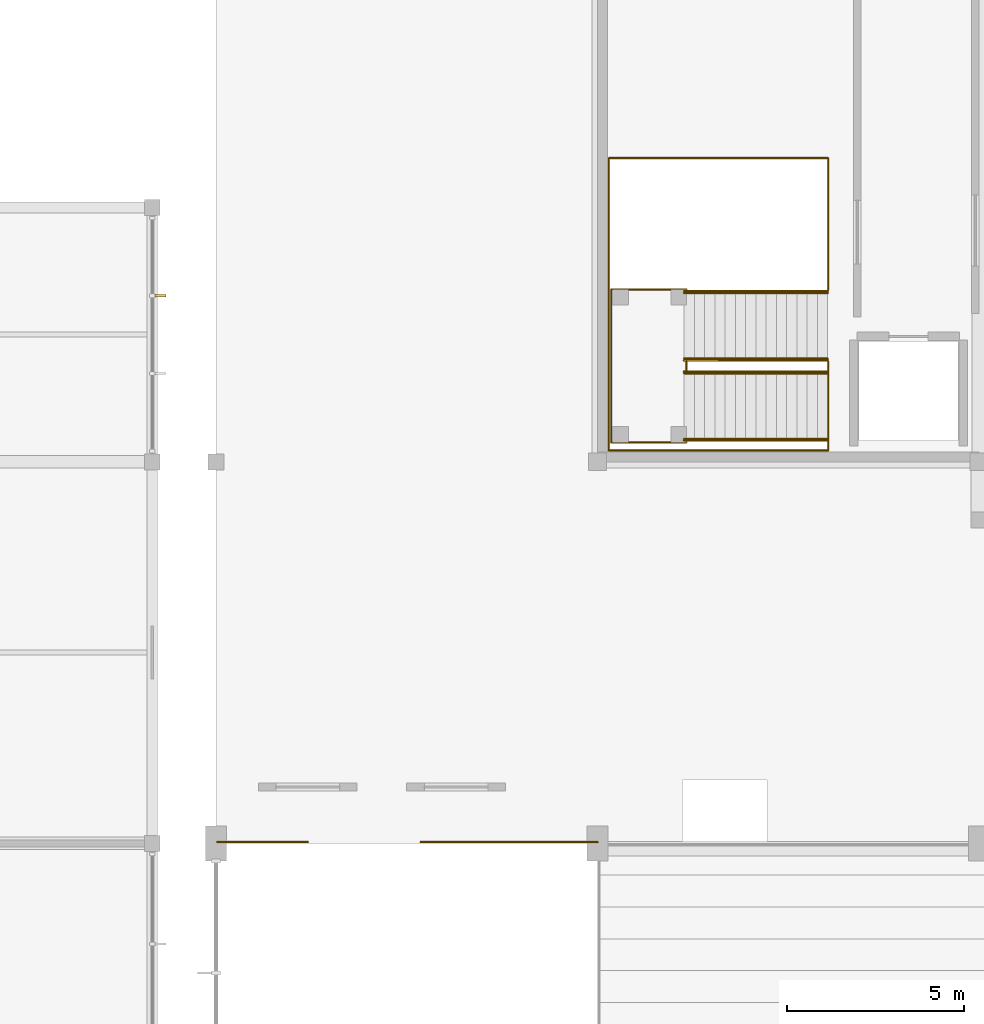
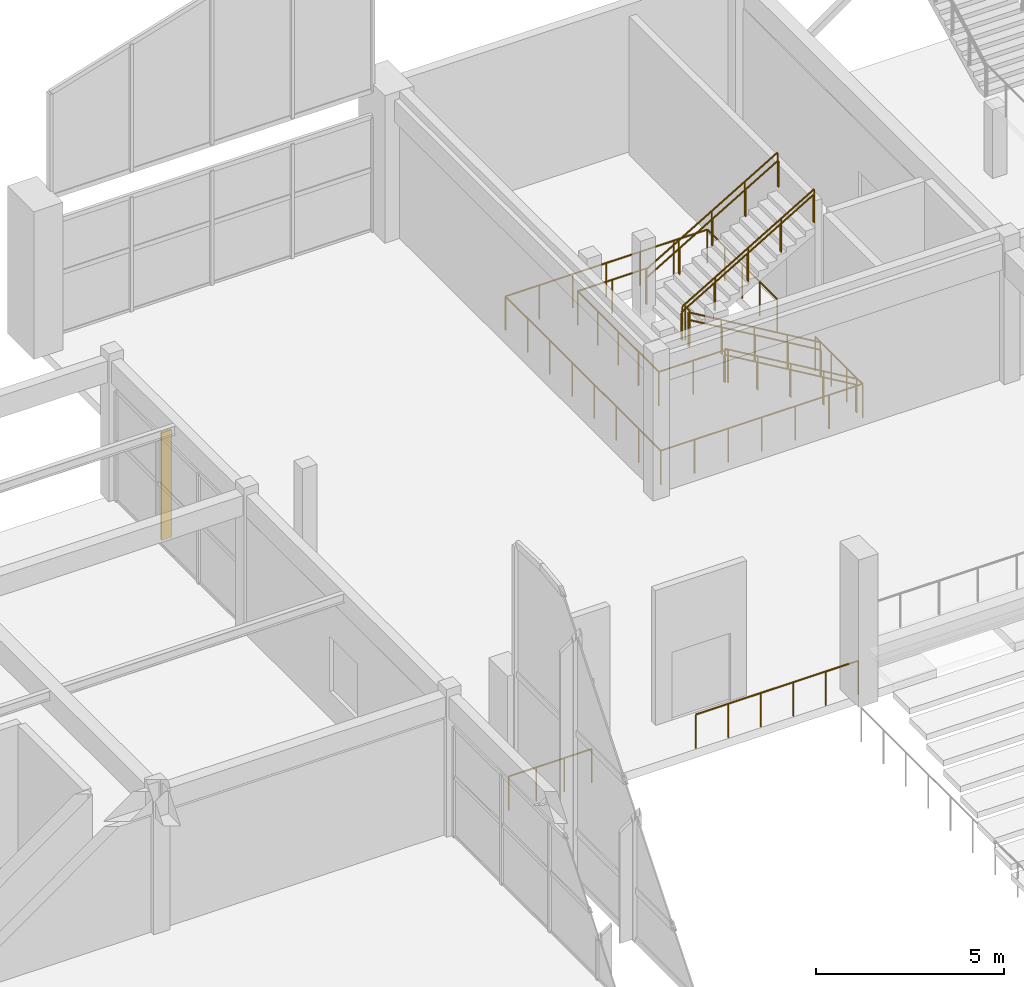
# One storey, part 65 of 74: 13 railings, 1 shading device.
"""IFC4 building model written with IfcOpenShell, lengths in metres."""

from ifc_helpers import new_model, si_unit, direction, frame, origin, origin_2d, place, context, subcontext, project, spatial, rectangle, circle, extrude, material, type_object, element, save


model = new_model("IFC4")

# Units and contexts
model_context = context("Model", 3, precision=1e-05, world=origin(), true_north=direction((0.0, 1.0)))
body_context = subcontext(model_context, "Body", "Model", "MODEL_VIEW")
ifc_project = project(units=[si_unit("LENGTHUNIT", "METRE"), si_unit("AREAUNIT", "SQUARE_METRE"), si_unit("VOLUMEUNIT", "CUBIC_METRE"), si_unit("PLANEANGLEUNIT", "RADIAN"), si_unit("MASSUNIT", "GRAM", prefix="KILO")], contexts=[model_context])

# Site, building, storey
site_placement = place(None, origin())
site = spatial("IfcSite", under=ifc_project, at=site_placement, CompositionType="ELEMENT")
building_placement = place(site_placement, origin())
building = spatial("IfcBuilding", under=site, at=building_placement, Name="Suirenkawa Promenade Aquatics Centre", CompositionType="ELEMENT")
storey_placement = place(building_placement, frame((0.0, 0.0, 4.800048828125)))
storey = spatial("IfcBuildingStorey", under=building, at=storey_placement, Name="L01", CompositionType="ELEMENT", Elevation=4.800048828125)

# Railings
ifc_material_1 = material(Name="Marine-grade stainless steel Grade 316L", Category="steel")
railing_type_1 = type_object("IfcRailingType", Name="RLT-BALUSTRADE-1120", PredefinedType="BALUSTRADE", material=ifc_material_1)
railing_1_placement = place(storey_placement, frame((46.840087890625, 97.239990234375, 0.0)))
element("IfcRailing", 1, at=railing_1_placement, inside=storey, type_object=railing_type_1, Name="Balustrade BAL-01 RL-0394", PredefinedType="BALUSTRADE", context=body_context, shape_type="SweptSolid", body=[
    extrude(circle(Radius=0.02392578125, at=origin_2d()), frame((0.0, 0.0, 1.09619140625), z_axis=(1.0, 0.0, 0.0), x_axis=(0.0, 1.0, 0.0)), (0.0, 0.0, 1.0), 2.559814453125),
    extrude(circle(Radius=0.02099609375, at=origin_2d()), origin(), (0.0, 0.0, 1.0), 1.072021484375),
    extrude(circle(Radius=0.02099609375, at=origin_2d()), frame((0.853271484375, 0.0, 0.0)), (0.0, 0.0, 1.0), 1.072021484375),
    extrude(circle(Radius=0.02099609375, at=origin_2d()), frame((1.70654296875, 0.0, 0.0)), (0.0, 0.0, 1.0), 1.072021484375),
    extrude(circle(Radius=0.02099609375, at=origin_2d()), frame((2.559814453125, 0.0, 0.0)), (0.0, 0.0, 1.0), 1.072021484375),
])
railing_2_placement = place(storey_placement, frame((52.60009765625, 97.239990234375, 0.0)))
element("IfcRailing", 2, at=railing_2_placement, inside=storey, type_object=railing_type_1, Name="Balustrade BAL-01 RL-0395", PredefinedType="BALUSTRADE", context=body_context, shape_type="SweptSolid", body=[
    extrude(circle(Radius=0.02392578125, at=origin_2d()), frame((0.0, 0.0, 1.09619140625), z_axis=(1.0, 0.0, 0.0), x_axis=(0.0, 1.0, 0.0)), (0.0, 0.0, 1.0), 5.0),
    extrude(circle(Radius=0.02099609375, at=origin_2d()), origin(), (0.0, 0.0, 1.0), 1.072021484375),
    extrude(circle(Radius=0.02099609375, at=origin_2d()), frame((1.0, 0.0, 0.0)), (0.0, 0.0, 1.0), 1.072021484375),
    extrude(circle(Radius=0.02099609375, at=origin_2d()), frame((2.0, 0.0, 0.0)), (0.0, 0.0, 1.0), 1.072021484375),
    extrude(circle(Radius=0.02099609375, at=origin_2d()), frame((3.0, 0.0, 0.0)), (0.0, 0.0, 1.0), 1.072021484375),
    extrude(circle(Radius=0.02099609375, at=origin_2d()), frame((4.0, 0.0, 0.0)), (0.0, 0.0, 1.0), 1.072021484375),
    extrude(circle(Radius=0.02099609375, at=origin_2d()), frame((5.0, 0.0, 0.0)), (0.0, 0.0, 1.0), 1.072021484375),
])
railing_type_2 = type_object("IfcRailingType", Name="RLT-GUARD-1120", PredefinedType="GUARDRAIL", material=ifc_material_1)
for number, where, name in (
    (3, (64.114990234375, 110.56005859375, 0.0), "Guardrail GRD-01 RL-0121"),
    (4, (64.114990234375, 108.60009765625, 0.0), "Guardrail GRD-01 RL-0123"),
):
    element("IfcRailing", number, at=place(storey_placement, frame(where)), inside=storey, type_object=railing_type_2, Name=name, PredefinedType="GUARDRAIL", context=body_context, shape_type="SweptSolid", body=[
        extrude(circle(Radius=0.02392578125, at=origin_2d()), frame((0.0, 0.0, 1.09619140625), z_axis=(-0.8608543813, 0.0, 0.508851387142), x_axis=(0.0, -1.0, 0.0)), (0.0, 0.0, 1.0), 4.71630859375),
        extrude(circle(Radius=0.02099609375, at=origin_2d()), origin(), (0.0, 0.0, 1.0), 1.072021484375),
        extrude(circle(Radius=0.02099609375, at=origin_2d()), frame((-1.01513671875, 0.0, 0.60009765625)), (0.0, 0.0, 1.0), 1.072021484375),
        extrude(circle(Radius=0.02099609375, at=origin_2d()), frame((-2.030029296875, 0.0, 1.199951171875)), (0.0, 0.0, 1.0), 1.072021484375),
        extrude(circle(Radius=0.02099609375, at=origin_2d()), frame((-3.044921875, 0.0, 1.7998046875)), (0.0, 0.0, 1.0), 1.072021484375),
        extrude(circle(Radius=0.02099609375, at=origin_2d()), frame((-4.06005859375, 0.0, 2.39990234375)), (0.0, 0.0, 1.0), 1.072021484375),
    ])
for number, where, name in (
    (5, (60.054931640625, 110.8701171875, 2.39990234375), "Guardrail GRD-01 RL-0125"),
    (6, (60.054931640625, 112.830078125, 2.39990234375), "Guardrail GRD-01 RL-0127"),
):
    element("IfcRailing", number, at=place(storey_placement, frame(where)), inside=storey, type_object=railing_type_2, Name=name, PredefinedType="GUARDRAIL", context=body_context, shape_type="SweptSolid", body=[
        extrude(circle(Radius=0.02392578125, at=origin_2d()), frame((0.0, 0.0, 1.09619140625), z_axis=(0.860831705478, 0.0, 0.508889747237), x_axis=(0.0, 1.0, 0.0)), (0.0, 0.0, 1.0), 4.716552734375),
        extrude(circle(Radius=0.02099609375, at=origin_2d()), origin(), (0.0, 0.0, 1.0), 1.072021484375),
        extrude(circle(Radius=0.02099609375, at=origin_2d()), frame((1.01513671875, 0.0, 0.60009765625)), (0.0, 0.0, 1.0), 1.072021484375),
        extrude(circle(Radius=0.02099609375, at=origin_2d()), frame((2.030029296875, 0.0, 1.2001953125)), (0.0, 0.0, 1.0), 1.072021484375),
        extrude(circle(Radius=0.02099609375, at=origin_2d()), frame((3.044921875, 0.0, 1.800048828125)), (0.0, 0.0, 1.0), 1.072021484375),
        extrude(circle(Radius=0.02099609375, at=origin_2d()), frame((4.06005859375, 0.0, 2.400146484375)), (0.0, 0.0, 1.0), 1.072021484375),
    ])
railing_3_placement = place(storey_placement, frame((60.1201171875, 108.550048828125, 2.39990234375)))
element("IfcRailing", 7, at=railing_3_placement, inside=storey, type_object=railing_type_2, Name="Guardrail GRD-01 RL-0129", PredefinedType="GUARDRAIL", context=body_context, shape_type="SweptSolid", body=[
    extrude(circle(Radius=0.02392578125, at=origin_2d()), frame((0.0, 0.0, 1.09619140625), z_axis=(-1.0, 0.0, 0.0), x_axis=(0.0, -1.0, 0.0)), (0.0, 0.0, 1.0), 2.130126953125),
    extrude(circle(Radius=0.02392578125, at=origin_2d()), frame((-2.130126953125, 0.0, 1.09619140625), z_axis=(0.0, 1.0, 0.0), x_axis=(-1.0, 0.0, 0.0)), (0.0, 0.0, 1.0), 4.329833984375),
    extrude(circle(Radius=0.02392578125, at=origin_2d()), frame((-2.130126953125, 4.329833984375, 1.09619140625), z_axis=(1.0, 0.0, 0.0), x_axis=(0.0, 1.0, 0.0)), (0.0, 0.0, 1.0), 2.130126953125),
    extrude(circle(Radius=0.02099609375, at=origin_2d()), origin(), (0.0, 0.0, 1.0), 1.072021484375),
    extrude(circle(Radius=0.02099609375, at=origin_2d()), frame((-1.06494140625, 0.0, 0.0)), (0.0, 0.0, 1.0), 1.072021484375),
    extrude(circle(Radius=0.02099609375, at=origin_2d()), frame((-2.130126953125, 0.0, 0.0)), (0.0, 0.0, 1.0), 1.072021484375),
    extrude(circle(Radius=0.02099609375, at=origin_2d()), frame((-2.130126953125, 1.08251953125, 0.0)), (0.0, 0.0, 1.0), 1.072021484375),
    extrude(circle(Radius=0.02099609375, at=origin_2d()), frame((-2.130126953125, 2.1650390625, 0.0)), (0.0, 0.0, 1.0), 1.072021484375),
    extrude(circle(Radius=0.02099609375, at=origin_2d()), frame((-2.130126953125, 3.247314453125, 0.0)), (0.0, 0.0, 1.0), 1.072021484375),
    extrude(circle(Radius=0.02099609375, at=origin_2d()), frame((-2.130126953125, 4.329833984375, 0.0)), (0.0, 0.0, 1.0), 1.072021484375),
    extrude(circle(Radius=0.02099609375, at=origin_2d()), frame((-1.06494140625, 4.329833984375, 0.0)), (0.0, 0.0, 1.0), 1.072021484375),
    extrude(circle(Radius=0.02099609375, at=origin_2d()), frame((0.0, 4.329833984375, 0.0)), (0.0, 0.0, 1.0), 1.072021484375),
])
railing_4_placement = place(storey_placement, frame((60.1201171875, 110.590087890625, 2.39990234375)))
element("IfcRailing", 8, at=railing_4_placement, inside=storey, type_object=railing_type_2, Name="Guardrail GRD-01 RL-0130", PredefinedType="GUARDRAIL", context=body_context, shape_type="SweptSolid", body=[
    extrude(circle(Radius=0.02392578125, at=origin_2d()), frame((0.0, 0.0, 1.09619140625), z_axis=(0.0, 1.0, 0.0), x_axis=(-1.0, 0.0, 0.0)), (0.0, 0.0, 1.0), 0.25),
    extrude(circle(Radius=0.02099609375, at=origin_2d()), origin(), (0.0, 0.0, 1.0), 1.072021484375),
    extrude(circle(Radius=0.02099609375, at=origin_2d()), frame((0.0, 0.25, 0.0)), (0.0, 0.0, 1.0), 1.072021484375),
])
railing_5_placement = place(storey_placement, frame((64.1298828125, 112.860107421875, 0.0)))
element("IfcRailing", 9, at=railing_5_placement, inside=storey, type_object=railing_type_2, Name="Guardrail GRD-01 RL-0413", PredefinedType="GUARDRAIL", context=body_context, shape_type="SweptSolid", body=[
    extrude(circle(Radius=0.02392578125, at=origin_2d()), frame((0.0, 0.0, 1.09619140625), z_axis=(0.0, 1.0, 0.0), x_axis=(-1.0, 0.0, 0.0)), (0.0, 0.0, 1.0), 3.739990234375),
    extrude(circle(Radius=0.02392578125, at=origin_2d()), frame((0.0, 3.739990234375, 1.09619140625), z_axis=(-1.0, 0.0, 0.0), x_axis=(0.0, -1.0, 0.0)), (0.0, 0.0, 1.0), 6.2099609375),
    extrude(circle(Radius=0.02392578125, at=origin_2d()), frame((-6.2099609375, 3.739990234375, 1.09619140625), z_axis=(0.0, -1.0, 0.0), x_axis=(1.0, 0.0, 0.0)), (0.0, 0.0, 1.0), 8.280029296875),
    extrude(circle(Radius=0.02392578125, at=origin_2d()), frame((-6.2099609375, -4.5400390625, 1.09619140625), z_axis=(1.0, 0.0, 0.0), x_axis=(0.0, 1.0, 0.0)), (0.0, 0.0, 1.0), 6.2099609375),
    extrude(circle(Radius=0.02392578125, at=origin_2d()), frame((0.0, -4.5400390625, 1.09619140625), z_axis=(0.0, 1.0, 0.0), x_axis=(-1.0, 0.0, 0.0)), (0.0, 0.0, 1.0), 2.52001953125),
    extrude(circle(Radius=0.02099609375, at=origin_2d()), origin(), (0.0, 0.0, 1.0), 1.072021484375),
    extrude(circle(Radius=0.02099609375, at=origin_2d()), frame((0.0, 0.93505859375, 0.0)), (0.0, 0.0, 1.0), 1.072021484375),
    extrude(circle(Radius=0.02099609375, at=origin_2d()), frame((0.0, 1.8701171875, 0.0)), (0.0, 0.0, 1.0), 1.072021484375),
    extrude(circle(Radius=0.02099609375, at=origin_2d()), frame((0.0, 2.804931640625, 0.0)), (0.0, 0.0, 1.0), 1.072021484375),
    extrude(circle(Radius=0.02099609375, at=origin_2d()), frame((0.0, 3.739990234375, 0.0)), (0.0, 0.0, 1.0), 1.072021484375),
    extrude(circle(Radius=0.02099609375, at=origin_2d()), frame((-1.034912109375, 3.739990234375, 0.0)), (0.0, 0.0, 1.0), 1.072021484375),
    extrude(circle(Radius=0.02099609375, at=origin_2d()), frame((-2.070068359375, 3.739990234375, 0.0)), (0.0, 0.0, 1.0), 1.072021484375),
    extrude(circle(Radius=0.02099609375, at=origin_2d()), frame((-3.10498046875, 3.739990234375, 0.0)), (0.0, 0.0, 1.0), 1.072021484375),
    extrude(circle(Radius=0.02099609375, at=origin_2d()), frame((-4.139892578125, 3.739990234375, 0.0)), (0.0, 0.0, 1.0), 1.072021484375),
    extrude(circle(Radius=0.02099609375, at=origin_2d()), frame((-5.175048828125, 3.739990234375, 0.0)), (0.0, 0.0, 1.0), 1.072021484375),
    extrude(circle(Radius=0.02099609375, at=origin_2d()), frame((-6.2099609375, 3.739990234375, 0.0)), (0.0, 0.0, 1.0), 1.072021484375),
    extrude(circle(Radius=0.02099609375, at=origin_2d()), frame((-6.2099609375, 2.55712890625, 0.0)), (0.0, 0.0, 1.0), 1.072021484375),
    extrude(circle(Radius=0.02099609375, at=origin_2d()), frame((-6.2099609375, 1.374267578125, 0.0)), (0.0, 0.0, 1.0), 1.072021484375),
    extrude(circle(Radius=0.02099609375, at=origin_2d()), frame((-6.2099609375, 0.19140625, 0.0)), (0.0, 0.0, 1.0), 1.072021484375),
    extrude(circle(Radius=0.02099609375, at=origin_2d()), frame((-6.2099609375, -0.991455078125, 0.0)), (0.0, 0.0, 1.0), 1.072021484375),
    extrude(circle(Radius=0.02099609375, at=origin_2d()), frame((-6.2099609375, -2.17431640625, 0.0)), (0.0, 0.0, 1.0), 1.072021484375),
    extrude(circle(Radius=0.02099609375, at=origin_2d()), frame((-6.2099609375, -3.357177734375, 0.0)), (0.0, 0.0, 1.0), 1.072021484375),
    extrude(circle(Radius=0.02099609375, at=origin_2d()), frame((-6.2099609375, -4.5400390625, 0.0)), (0.0, 0.0, 1.0), 1.072021484375),
    extrude(circle(Radius=0.02099609375, at=origin_2d()), frame((-5.175048828125, -4.5400390625, 0.0)), (0.0, 0.0, 1.0), 1.072021484375),
    extrude(circle(Radius=0.02099609375, at=origin_2d()), frame((-4.139892578125, -4.5400390625, 0.0)), (0.0, 0.0, 1.0), 1.072021484375),
    extrude(circle(Radius=0.02099609375, at=origin_2d()), frame((-3.10498046875, -4.5400390625, 0.0)), (0.0, 0.0, 1.0), 1.072021484375),
    extrude(circle(Radius=0.02099609375, at=origin_2d()), frame((-2.070068359375, -4.5400390625, 0.0)), (0.0, 0.0, 1.0), 1.072021484375),
    extrude(circle(Radius=0.02099609375, at=origin_2d()), frame((-1.034912109375, -4.5400390625, 0.0)), (0.0, 0.0, 1.0), 1.072021484375),
    extrude(circle(Radius=0.02099609375, at=origin_2d()), frame((0.0, -4.5400390625, 0.0)), (0.0, 0.0, 1.0), 1.072021484375),
    extrude(circle(Radius=0.02099609375, at=origin_2d()), frame((0.0, -3.699951171875, 0.0)), (0.0, 0.0, 1.0), 1.072021484375),
    extrude(circle(Radius=0.02099609375, at=origin_2d()), frame((0.0, -2.860107421875, 0.0)), (0.0, 0.0, 1.0), 1.072021484375),
    extrude(circle(Radius=0.02099609375, at=origin_2d()), frame((0.0, -2.02001953125, 0.0)), (0.0, 0.0, 1.0), 1.072021484375),
])
railing_type_3 = type_object("IfcRailingType", Name="RLT-HANDRAIL-900", PredefinedType="HANDRAIL", material=ifc_material_1)
for number, where, name in (
    (10, (64.114990234375, 110.510009765625, 0.0), "Handrail HRL-01 RL-0122"),
    (11, (64.114990234375, 108.64990234375, 0.0), "Handrail HRL-01 RL-0124"),
):
    element("IfcRailing", number, at=place(storey_placement, frame(where)), inside=storey, type_object=railing_type_3, Name=name, PredefinedType="HANDRAIL", context=body_context, shape_type="SweptSolid", body=[
        extrude(circle(Radius=0.02392578125, at=origin_2d()), frame((0.0, 0.0, 0.8759765625), z_axis=(-0.8608543813, 0.0, 0.508851387142), x_axis=(0.0, -1.0, 0.0)), (0.0, 0.0, 1.0), 4.71630859375),
        extrude(circle(Radius=0.02099609375, at=origin_2d()), origin(), (0.0, 0.0, 1.0), 0.851806640625),
        extrude(circle(Radius=0.02099609375, at=origin_2d()), frame((-1.01513671875, 0.0, 0.60009765625)), (0.0, 0.0, 1.0), 0.851806640625),
        extrude(circle(Radius=0.02099609375, at=origin_2d()), frame((-2.030029296875, 0.0, 1.199951171875)), (0.0, 0.0, 1.0), 0.851806640625),
        extrude(circle(Radius=0.02099609375, at=origin_2d()), frame((-3.044921875, 0.0, 1.7998046875)), (0.0, 0.0, 1.0), 0.851806640625),
        extrude(circle(Radius=0.02099609375, at=origin_2d()), frame((-4.06005859375, 0.0, 2.39990234375)), (0.0, 0.0, 1.0), 0.851806640625),
    ])
for number, where, name in (
    (12, (60.054931640625, 110.919921875, 2.39990234375), "Handrail HRL-01 RL-0126"),
    (13, (60.054931640625, 112.780029296875, 2.39990234375), "Handrail HRL-01 RL-0128"),
):
    element("IfcRailing", number, at=place(storey_placement, frame(where)), inside=storey, type_object=railing_type_3, Name=name, PredefinedType="HANDRAIL", context=body_context, shape_type="SweptSolid", body=[
        extrude(circle(Radius=0.02392578125, at=origin_2d()), frame((0.0, 0.0, 0.8759765625), z_axis=(0.860831705478, 0.0, 0.508889747237), x_axis=(0.0, 1.0, 0.0)), (0.0, 0.0, 1.0), 4.716552734375),
        extrude(circle(Radius=0.02099609375, at=origin_2d()), origin(), (0.0, 0.0, 1.0), 0.851806640625),
        extrude(circle(Radius=0.02099609375, at=origin_2d()), frame((1.01513671875, 0.0, 0.60009765625)), (0.0, 0.0, 1.0), 0.851806640625),
        extrude(circle(Radius=0.02099609375, at=origin_2d()), frame((2.030029296875, 0.0, 1.2001953125)), (0.0, 0.0, 1.0), 0.851806640625),
        extrude(circle(Radius=0.02099609375, at=origin_2d()), frame((3.044921875, 0.0, 1.800048828125)), (0.0, 0.0, 1.0), 0.851806640625),
        extrude(circle(Radius=0.02099609375, at=origin_2d()), frame((4.06005859375, 0.0, 2.400146484375)), (0.0, 0.0, 1.0), 0.851806640625),
    ])

# Shading device
ifc_material_2 = material(Name="Anodised aluminium 6063-T6", Category="aluminium")
shading_device_type = type_object("IfcShadingDeviceType", Name="SDT-KOUSHI-320", PredefinedType="USERDEFINED", material=ifc_material_2)
shading_device_placement = place(storey_placement, frame((45.23193359375, 112.700439453125, 0.0400390625), z_axis=(0.0, 0.0, 1.0), x_axis=(1.0, 0.0, 0.0)))
element("IfcShadingDevice", 14, at=shading_device_placement, inside=storey, type_object=shading_device_type, Name="Vertical solar shading fin FN-02 FIN-0141", ObjectType="FIN", PredefinedType="USERDEFINED", context=body_context, shape_type="SweptSolid", body=[
    extrude(rectangle(XDim=0.320068359375, YDim=0.06005859375, at=origin_2d()), origin(), (0.0, 0.0, 1.0), 3.489990234375),
])

save(model, "model.ifc")
